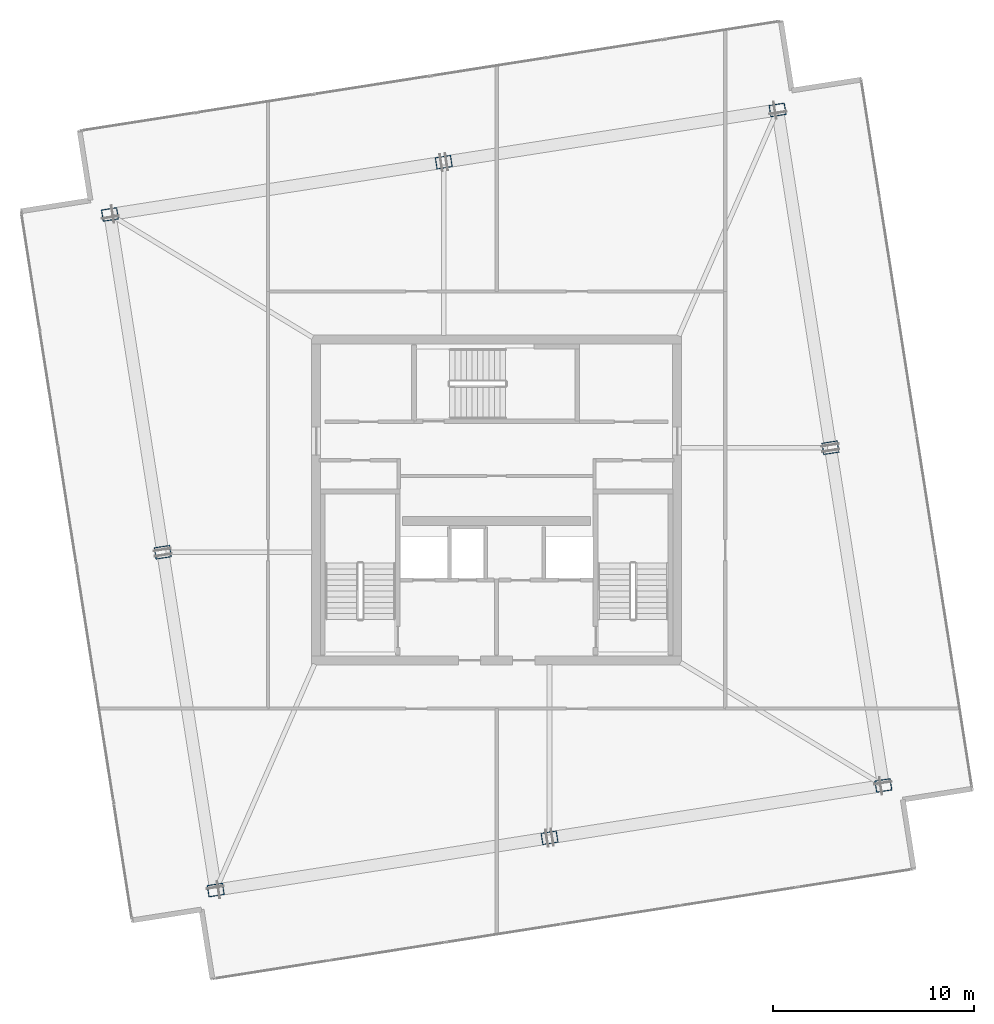
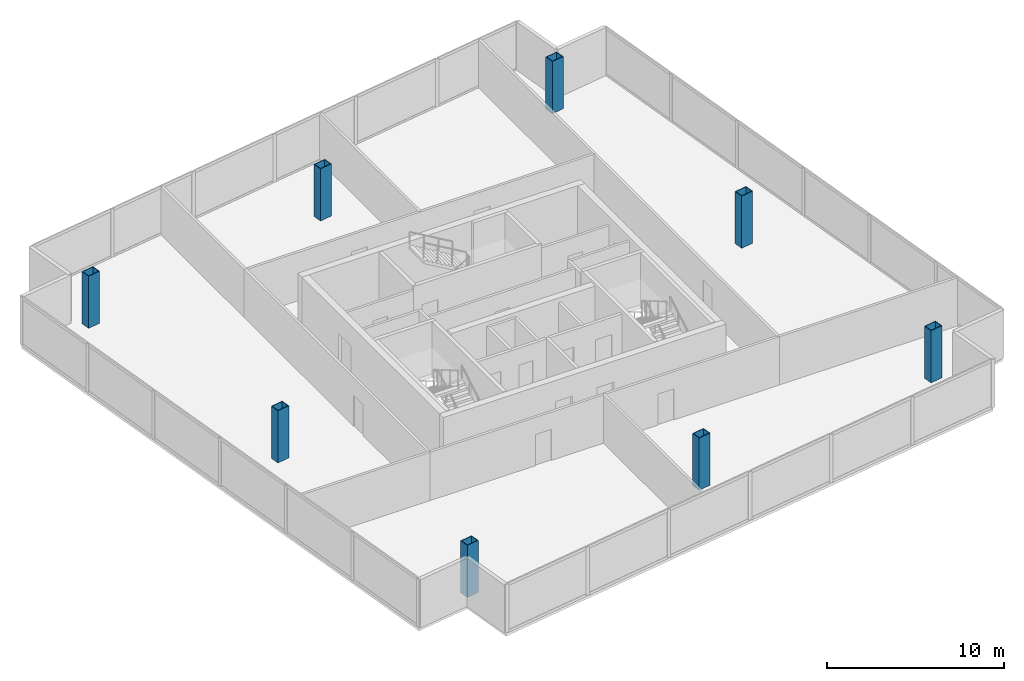
# One storey, part 1 of 17: 8 columns.
"""IFC4 building model written with IfcOpenShell, lengths in metres."""

from ifc_helpers import new_model, si_unit, direction, frame, origin, origin_2d, place, context, subcontext, project, spatial, hollow_rectangle, extrude, material, material_profile, profile_set, type_object, element, save


model = new_model("IFC4")

# Units and contexts
model_context = context("Model", 3, precision=1e-05, world=origin(), true_north=direction((0.0, 1.0)))
body_context = subcontext(model_context, "Body", "Model", "MODEL_VIEW")
ifc_project = project(units=[si_unit("LENGTHUNIT", "METRE"), si_unit("AREAUNIT", "SQUARE_METRE"), si_unit("VOLUMEUNIT", "CUBIC_METRE"), si_unit("PLANEANGLEUNIT", "RADIAN"), si_unit("MASSUNIT", "GRAM", prefix="KILO")], contexts=[model_context])

# Site, building, storey
site_placement = place(None, origin())
site = spatial("IfcSite", under=ifc_project, at=site_placement, CompositionType="ELEMENT")
building_placement = place(site_placement, origin())
building = spatial("IfcBuilding", under=site, at=building_placement, Name="Haldenkirk Collegiate Tower", CompositionType="ELEMENT")
storey_placement = place(building_placement, frame((0.0, 0.0, 367.800048828125)))
storey = spatial("IfcBuildingStorey", under=building, at=storey_placement, Name="L93", CompositionType="ELEMENT", Elevation=367.800048828125)

# Columns
ifc_material = material(Name="Steel ASTM A572 Grade 50", Category="steel")
ifc_material_profile = material_profile(ifc_material, hollow_rectangle(XDim=0.60009765625, YDim=0.800048828125, WallThickness=0.0400390625, at=origin_2d()), Name="BOX800X600X40")
ifc_profile_set = profile_set([ifc_material_profile], Name="Steel ASTM A572 Grade 50")
column_type = type_object("IfcColumnType", Name="COL-CROWN-BOX800", PredefinedType="COLUMN", material=ifc_profile_set)
for number, where, z_axis, x_axis, name in (
    (1, (55.284912109375, 11.76220703125, 0.0), (0.0, 0.0, 1.0), (-0.154710386299, 0.987959865769, 0.0), "L93 Crown Ring Frame column CC-1"),
    (2, (52.647216796875, 28.60693359375, 0.0), (0.0, 0.0, 1.0), (-0.154710386299, 0.987959865769, 0.0), "L93 Crown Ring Frame column CC-2"),
    (3, (50.00927734375, 45.45166015625, 0.0), (0.0, 0.0, 1.0), (-0.154710386299, 0.987959865769, 0.0), "L93 Crown Ring Frame column CC-3"),
    (4, (33.3623046875, 42.8447265625, 0.0), (0.0, 0.0, 1.0), (-0.154710386299, 0.987959865769, 0.0), "L93 Crown Ring Frame column CC-4"),
    (5, (16.715087890625, 40.23779296875, 0.0), (0.0, 0.0, 1.0), (-0.154710386299, 0.987959865769, 0.0), "L93 Crown Ring Frame column CC-5"),
    (6, (19.352783203125, 23.39306640625, 0.0), (0.0, 0.0, 1.0), (-0.154710386299, 0.987959865769, 0.0), "L93 Crown Ring Frame column CC-6"),
    (7, (21.99072265625, 6.54833984375, 0.0), (0.0, 0.0, 1.0), (-0.154710386299, 0.987959865769, 0.0), "L93 Crown Ring Frame column CC-7"),
    (8, (38.6376953125, 9.1552734375, 0.0), (0.0, 0.0, 1.0), (-0.154710386299, 0.987959865769, 0.0), "L93 Crown Ring Frame column CC-8"),
):
    element("IfcColumn", number, at=place(storey_placement, frame(where, z_axis=z_axis, x_axis=x_axis)), inside=storey, type_object=column_type, Name=name, PredefinedType="COLUMN", context=body_context, shape_type="SweptSolid", body=[
        extrude(hollow_rectangle(XDim=0.60009765625, YDim=0.800048828125, WallThickness=0.0400390625, at=origin_2d()), origin(), (0.0, 0.0, 1.0), 3.599853515625),
    ])

save(model, "model.ifc")
